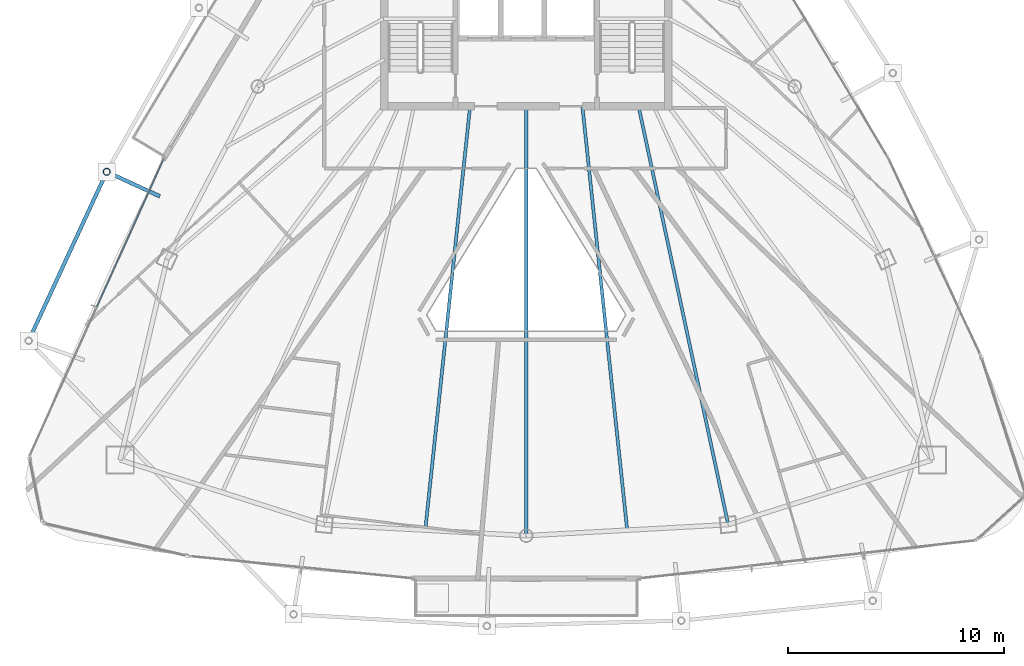
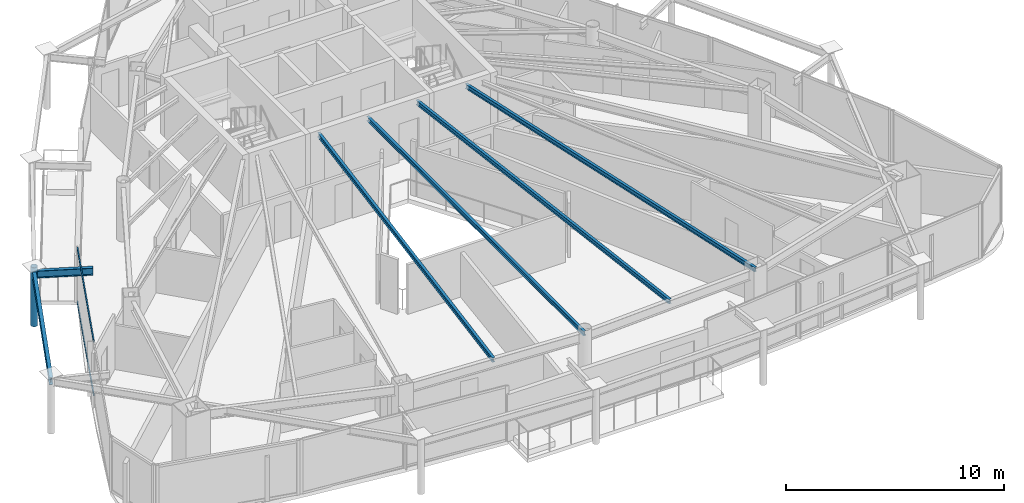
# One storey, part 9 of 32: 6 beams, 3 members, 1 element without a shape of its own.
"""IFC4 building model written with IfcOpenShell, lengths in metres."""

from ifc_helpers import new_model, si_unit, direction, frame, origin, origin_2d, place, context, subcontext, project, spatial, hollow_rectangle, hollow_circle, i_section, extrude, material, layer, layer_set, material_profile, profile_set, type_object, element, aggregate, save


model = new_model("IFC4")

# Units and contexts
model_context = context("Model", 3, precision=1e-05, world=origin(), true_north=direction((0.0, 1.0)))
body_context = subcontext(model_context, "Body", "Model", "MODEL_VIEW")
ifc_project = project(units=[si_unit("LENGTHUNIT", "METRE"), si_unit("AREAUNIT", "SQUARE_METRE"), si_unit("VOLUMEUNIT", "CUBIC_METRE"), si_unit("PLANEANGLEUNIT", "RADIAN"), si_unit("MASSUNIT", "GRAM", prefix="KILO")], contexts=[model_context])

# Site, building, storey
site_placement = place(None, origin())
site = spatial("IfcSite", under=ifc_project, at=site_placement, CompositionType="ELEMENT")
building_placement = place(site_placement, origin())
building = spatial("IfcBuilding", under=site, at=building_placement, Name="Orvanel Arch Residences", CompositionType="ELEMENT")
storey_placement = place(building_placement, frame((0.0, 0.0, 222.800048828125)))
storey = spatial("IfcBuildingStorey", under=building, at=storey_placement, Name="L63", CompositionType="ELEMENT", Elevation=222.800048828125)

# Beams
ifc_material_1 = material(Name="Structural steel AS/NZS 3679.1 Grade 300 (300 MPa)", Category="steel")
ifc_material_profile_1 = material_profile(ifc_material_1, i_section(OverallWidth=0.14599609375, OverallDepth=0.251953125, WebThickness=0.006103515625, FlangeThickness=0.008544921875, at=origin_2d()), Name="250UB31.4")
ifc_profile_set_1 = profile_set([ifc_material_profile_1], Name="Structural steel AS/NZS 3679.1 Grade 300 (300 MPa)")
beam_type_1 = type_object("IfcBeamType", Name="BJ-250UB", PredefinedType="JOIST", material=ifc_profile_set_1)
beam_1_placement = place(storey_placement, frame((38.199951171875, 26.72509765625, 2.933837890625), z_axis=(0.209547604985, -0.977798446125, 0.0), x_axis=(0.977798446125, 0.209547604985, 0.0)))
element("IfcBeam", 1, at=beam_1_placement, inside=storey, type_object=beam_type_1, Name="L63 SE Wing Floor Joist", PredefinedType="JOIST", context=body_context, shape_type="SweptSolid", body=[
    extrude(i_section(OverallWidth=0.14599609375, OverallDepth=0.251953125, WebThickness=0.006103515625, FlangeThickness=0.008544921875, at=origin_2d()), origin(), (0.0, 0.0, 1.0), 19.809814453125),
])
beam_2_placement = place(storey_placement, frame((33.0, 26.72509765625, 2.933837890625), z_axis=(0.0, -1.0, 0.0), x_axis=(1.0, 0.0, 0.0)))
element("IfcBeam", 2, at=beam_2_placement, inside=storey, type_object=beam_type_1, Name="L63 SSW Wing Floor Joist", PredefinedType="JOIST", context=body_context, shape_type="SweptSolid", body=[
    extrude(i_section(OverallWidth=0.14599609375, OverallDepth=0.251953125, WebThickness=0.006103515625, FlangeThickness=0.008544921875, at=origin_2d()), origin(), (0.0, 0.0, 1.0), 19.881103515625),
])
for number, where, z_axis, x_axis, name in (
    (3, (30.39990234375, 26.72509765625, 2.933837890625), (-0.105143936131, -0.994457014, 0.0), (0.994457014, -0.105143936131, 0.0), "L63 WSW2 Wing Floor Joist"),
    (4, (35.60009765625, 26.72509765625, 2.933837890625), (0.105143936131, -0.994457014, 0.0), (0.994457014, 0.105143936131, 0.0), "L63 ESE2 Wing Floor Joist"),
):
    element("IfcBeam", number, at=place(storey_placement, frame(where, z_axis=z_axis, x_axis=x_axis)), inside=storey, type_object=beam_type_1, Name=name, PredefinedType="JOIST", context=body_context, shape_type="SweptSolid", body=[
        extrude(i_section(OverallWidth=0.14599609375, OverallDepth=0.251953125, WebThickness=0.006103515625, FlangeThickness=0.008544921875, at=origin_2d()), origin(), (0.0, 0.0, 1.0), 19.734375),
    ])
ifc_material_profile_2 = material_profile(ifc_material_1, i_section(OverallWidth=0.177978515625, OverallDepth=0.406005859375, WebThickness=0.0078125, FlangeThickness=0.0126953125, at=origin_2d()), Name="410UB59.7")
ifc_profile_set_2 = profile_set([ifc_material_profile_2], Name="Structural steel AS/NZS 3679.1 Grade 300 (300 MPa)")
beam_type_2 = type_object("IfcBeamType", Name="OB-410UB-EXT", PredefinedType="SPANDREL", material=ifc_profile_set_2)
beam_3_placement = place(storey_placement, frame((16.0390625, 22.554931640625, 2.85693359375), z_axis=(-0.90821478547, 0.418504364917, 0.0), x_axis=(-0.418504364917, -0.90821478547, 0.0)))
element("IfcBeam", 5, at=beam_3_placement, inside=storey, type_object=beam_type_2, Name="L63 Outer Frame Radial Tie Beam 03", PredefinedType="SPANDREL", context=body_context, shape_type="SweptSolid", body=[
    extrude(i_section(OverallWidth=0.177978515625, OverallDepth=0.406005859375, WebThickness=0.0078125, FlangeThickness=0.0126953125, at=origin_2d()), origin(), (0.0, 0.0, 1.0), 2.712158203125),
])
beam_4_placement = place(storey_placement, frame((13.575927734375, 23.68994140625, 2.85693359375), z_axis=(-0.419519874519, -0.907746151126, 0.0), x_axis=(0.907746151126, -0.419519874519, 0.0)))
element("IfcBeam", 6, at=beam_4_placement, inside=storey, type_object=beam_type_2, Name="L63 Outer Perimeter Floor Ring Beam 03", PredefinedType="SPANDREL", context=body_context, shape_type="SweptSolid", body=[
    extrude(i_section(OverallWidth=0.177978515625, OverallDepth=0.406005859375, WebThickness=0.0078125, FlangeThickness=0.0126953125, at=origin_2d()), origin(), (0.0, 0.0, 1.0), 8.616943359375),
])

# Member
ifc_material_2 = material(Name="Structural steel AS/NZS 1163 C350L0 (Grade 350)", Category="steel")
ifc_material_profile_3 = material_profile(ifc_material_2, hollow_circle(Radius=0.162109375, WallThickness=0.0126953125, at=origin_2d()), Name="CHS324x12.7")
ifc_profile_set_3 = profile_set([ifc_material_profile_3], Name="Structural steel AS/NZS 1163 C350L0 (Grade 350)")
member_type_1 = type_object("IfcMemberType", Name="ST-324CHS-EXT", PredefinedType="STRUT", material=ifc_profile_set_3)
member_1_placement = place(storey_placement, frame((13.575927734375, 23.68994140625, 0.0), z_axis=(0.0, 0.0, 1.0), x_axis=(1.0, 0.0, 0.0)))
element("IfcMember", 7, at=member_1_placement, inside=storey, type_object=member_type_1, Name="L63 Outer Perimeter Frame Post 03", PredefinedType="STRUT", context=body_context, shape_type="SweptSolid", body=[
    extrude(hollow_circle(Radius=0.162109375, WallThickness=0.0126953125, at=origin_2d()), origin(), (0.0, 0.0, 1.0), 3.300048828125),
])

# Curtain wall, members
ifc_material_3 = material(Name="Bronze-anodised aluminium AA6063-T6", Category="aluminium")
ifc_layer = layer(ifc_material_3, 0.175048828125)
ifc_layer_set = layer_set([ifc_layer], Name="Bronze-anodised aluminium AA6063-T6")
curtain_wall_type = type_object("IfcCurtainWallType", Name="CW4-HI-SYS", PredefinedType="NOTDEFINED", material=ifc_layer_set)
curtain_wall_placement = place(storey_placement, origin())
curtain_wall = element("IfcCurtainWall", 8, at=curtain_wall_placement, inside=storey, type_object=curtain_wall_type, Name="L63 CW4-HI-SYS Unitised Curtain Wall", PredefinedType="NOTDEFINED")
ifc_material_profile_4 = material_profile(ifc_material_3, hollow_rectangle(XDim=0.06005859375, YDim=0.1201171875, WallThickness=0.00341796875, at=origin_2d()), Name="ALU120x60x3.5")
ifc_profile_set_4 = profile_set([ifc_material_profile_4], Name="Bronze-anodised aluminium AA6063-T6")
member_type_2 = type_object("IfcMemberType", Name="TRN-120x60", PredefinedType="USERDEFINED", material=ifc_profile_set_4)
member_2_placement = place(storey_placement, frame((16.2001953125, 24.2568359375, 0.030029296875), z_axis=(-0.411346104945, -0.911479227381, 0.0), x_axis=(0.911479227381, -0.411346104945, 0.0)))
member_2 = element("IfcMember", 9, at=member_2_placement, type_object=member_type_2, Name="CW-S4 transom 1.1", ObjectType="TRANSOM", PredefinedType="USERDEFINED", context=body_context, shape_type="SweptSolid", body=[
    extrude(hollow_rectangle(XDim=0.06005859375, YDim=0.1201171875, WallThickness=0.00341796875, at=origin_2d()), origin(), (0.0, 0.0, 1.0), 7.4765625),
])
member_3_placement = place(storey_placement, frame((16.2001953125, 24.2568359375, 3.030029296875), z_axis=(-0.411346104945, -0.911479227381, 0.0), x_axis=(0.911479227381, -0.411346104945, 0.0)))
member_3 = element("IfcMember", 10, at=member_3_placement, type_object=member_type_2, Name="CW-S4 transom 1.2", ObjectType="TRANSOM", PredefinedType="USERDEFINED", context=body_context, shape_type="SweptSolid", body=[
    extrude(hollow_rectangle(XDim=0.06005859375, YDim=0.1201171875, WallThickness=0.00341796875, at=origin_2d()), origin(), (0.0, 0.0, 1.0), 7.4765625),
])
aggregate(curtain_wall, [member_2, member_3])

save(model, "model.ifc")
